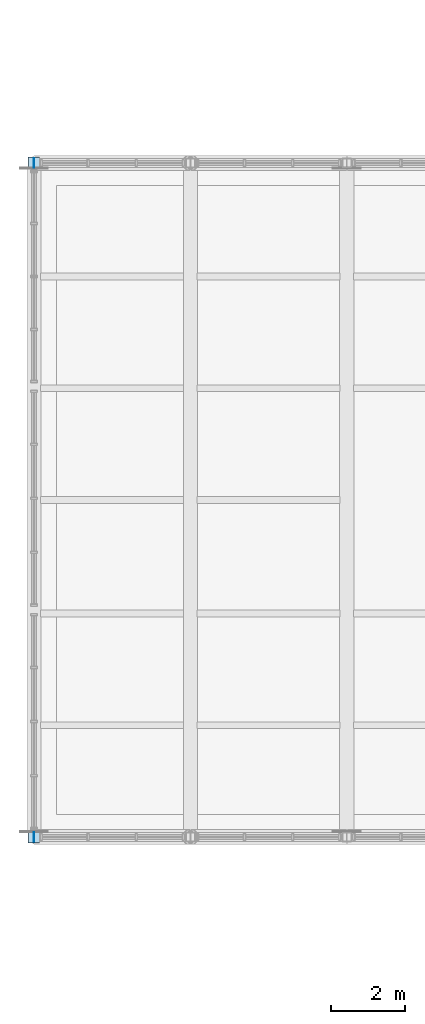
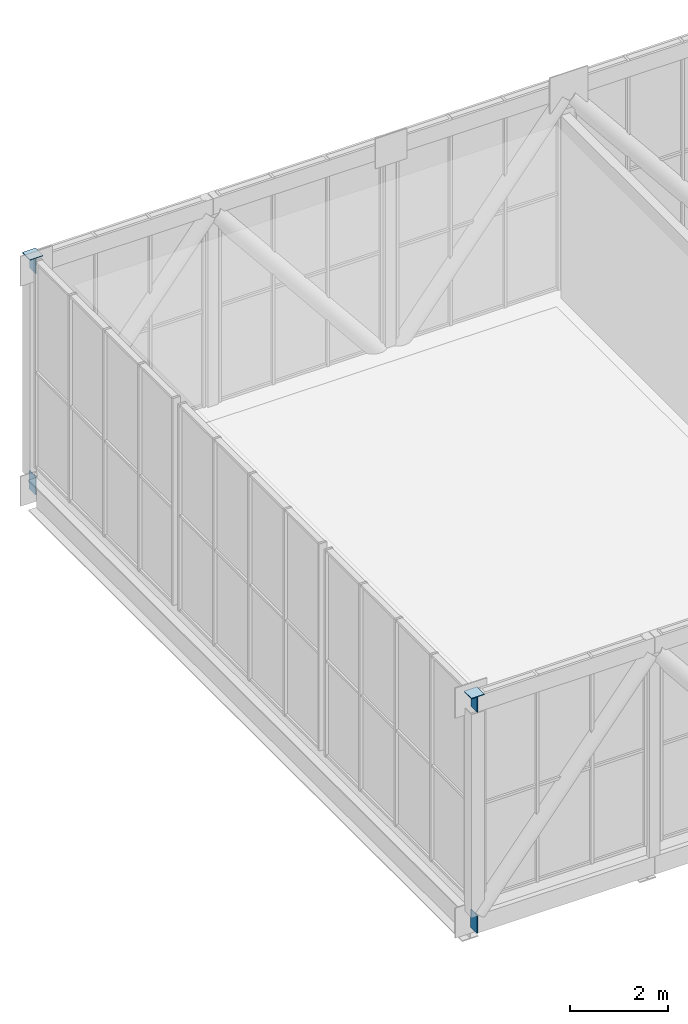
# One storey, part 53 of 58: 6 plates.
"""IFC4 building model written with IfcOpenShell, lengths in metres."""

import ifcopenshell
import ifcopenshell.guid

model = None  # the IFC model being written
_history = None  # IfcOwnerHistory: only IFC2X3 demands one
_inside = {}  # id of a spatial element -> (the spatial element, [elements in it])
_under = {}  # id of a project, library or spatial element -> (it, [spatial elements below it])
_declared = {}  # id of a project -> (the project, [libraries it declares])
_typed = {}  # id of a type object -> (the type object, [elements of that type])
_made_of = {}  # id of a material, layer set ... -> (it, [elements and type objects made of it])


def new_model(schema):
    """Start an empty IFC model of exactly this schema.

    Asked for "IFC4X3", IfcOpenShell would pick the latest addendum, in which some entities
    have other attributes; the version numbers below select the first issue.
    IFC2X3 requires an IfcOwnerHistory on every rooted entity: one is made here for all.
    """
    global model, _history
    if schema == "IFC4X3":
        model = ifcopenshell.file(schema_version=(4, 3, 0, 0))
    else:
        model = ifcopenshell.file(schema=schema)
    _inside.clear()
    _under.clear()
    _declared.clear()
    _typed.clear()
    _made_of.clear()
    _history = None
    if model.schema == "IFC2X3":
        org = make("IfcOrganization", Name="unknown")
        user = make(
            "IfcPersonAndOrganization",
            ThePerson=make("IfcPerson", FamilyName="unknown"),
            TheOrganization=org,
        )
        app = make(
            "IfcApplication",
            ApplicationDeveloper=org,
            Version="unknown",
            ApplicationFullName="unknown",
            ApplicationIdentifier="unknown",
        )
        _history = make(
            "IfcOwnerHistory",
            OwningUser=user,
            OwningApplication=app,
            ChangeAction="ADDED",
            CreationDate=0,
        )
    return model


def make(cls, **values):
    """One entity of the class cls with the attributes given. An attribute that is None is left unset."""
    return model.create_entity(
        cls, **{name: value for name, value in values.items() if value is not None}
    )


def rooted(cls, **values):
    """An entity with a GlobalId (a new one), such as an element, a storey or a relation."""
    return make(cls, GlobalId=ifcopenshell.guid.new(), OwnerHistory=_history, **values)


def si_unit(unit_type, name, prefix=None):
    """IfcSIUnit, for example si_unit("LENGTHUNIT", "METRE", prefix="MILLI")."""
    return make("IfcSIUnit", UnitType=unit_type, Prefix=prefix, Name=name)


def assignment(units):
    """IfcUnitAssignment: the units of a project."""
    return None if units is None else make("IfcUnitAssignment", Units=units)


def point(xyz):
    """IfcCartesianPoint."""
    return None if xyz is None else make("IfcCartesianPoint", Coordinates=xyz)


def direction(xyz):
    """IfcDirection."""
    return None if xyz is None else make("IfcDirection", DirectionRatios=xyz)


def frame(location, z_axis=None, x_axis=None):
    """IfcAxis2Placement3D, a coordinate frame: its origin and axes. An axis left out is left unset."""
    return make(
        "IfcAxis2Placement3D",
        Location=point(location),
        Axis=direction(z_axis),
        RefDirection=direction(x_axis),
    )


def frame_2d(location, x_axis=None):
    """IfcAxis2Placement2D, a coordinate frame in the plane: its origin and x axis."""
    return make(
        "IfcAxis2Placement2D", Location=point(location), RefDirection=direction(x_axis)
    )


def origin():
    """The frame at (0, 0, 0) with its axes left unset."""
    return frame((0.0, 0.0, 0.0))


def origin_2d():
    """The frame at (0, 0) in the plane with its x axis left unset."""
    return frame_2d((0.0, 0.0))


def place(relative_to, where):
    """IfcLocalPlacement: puts the frame where relative to a parent placement (None: the world)."""
    return make(
        "IfcLocalPlacement", PlacementRelTo=relative_to, RelativePlacement=where
    )


def context(
    kind, dimensions, precision=None, world=None, true_north=None, identifier=None
):
    """IfcGeometricRepresentationContext, for example the 3D "Model" context."""
    return make(
        "IfcGeometricRepresentationContext",
        ContextIdentifier=identifier,
        ContextType=kind,
        CoordinateSpaceDimension=dimensions,
        Precision=precision,
        WorldCoordinateSystem=world,
        TrueNorth=true_north,
    )


def subcontext(parent, identifier, kind, view, scale=None):
    """IfcGeometricRepresentationSubContext, for example "Body" below "Model"."""
    return make(
        "IfcGeometricRepresentationSubContext",
        ContextIdentifier=identifier,
        ContextType=kind,
        ParentContext=parent,
        TargetScale=scale,
        TargetView=view,
    )


def project(units=None, contexts=None):
    """IfcProject with its units and contexts."""
    return rooted(
        "IfcProject",
        Name="project",
        RepresentationContexts=contexts,
        UnitsInContext=assignment(units),
    )


def spatial(cls, under=None, at=None, **own):
    """A site, building, storey or space (cls), placed at a placement, below another one or the project."""
    s = rooted(cls, ObjectPlacement=at, **own)
    if under is not None:
        _under.setdefault(under.id(), (under, []))[1].append(s)
    return s


def profile(cls, at=None, kind="AREA", **sizes):
    """A parametric profile (cls). Its sizes go by their IFC names, for example OverallWidth=200.0."""
    return make(cls, ProfileType=kind, Position=at, **sizes)


def rectangle(**sizes):
    """IfcRectangleProfileDef."""
    return profile("IfcRectangleProfileDef", **sizes)


def extrude(swept, where, along, depth):
    """IfcExtrudedAreaSolid: the profile swept, set in the frame where, extruded along a direction by depth."""
    return make(
        "IfcExtrudedAreaSolid",
        SweptArea=swept,
        Position=where,
        ExtrudedDirection=direction(along),
        Depth=depth,
    )


def shape(context_of_items, identifier, shape_type, items):
    """IfcShapeRepresentation: the items that make up one representation, for example the "Body"."""
    return make(
        "IfcShapeRepresentation",
        ContextOfItems=context_of_items,
        RepresentationIdentifier=identifier,
        RepresentationType=shape_type,
        Items=items,
    )


def material(Name=None, Category=None):
    """IfcMaterial."""
    return make("IfcMaterial", Name=Name, Category=Category)


def layer(
    of_material, thickness, ventilated=None, Name=None, Category=None, Priority=None
):
    """IfcMaterialLayer: one layer of a wall or slab, of a material (None: an air gap)."""
    return make(
        "IfcMaterialLayer",
        Material=of_material,
        LayerThickness=thickness,
        IsVentilated=ventilated,
        Name=Name,
        Category=Category,
        Priority=Priority,
    )


def layer_set(layers, Name=None):
    """IfcMaterialLayerSet."""
    return make("IfcMaterialLayerSet", MaterialLayers=layers, LayerSetName=Name)


def made_of(thing, what):
    """Note that an element or type object is made of a material, layer set ...; save() writes the relation."""
    if what is not None:
        _made_of.setdefault(what.id(), (what, []))[1].append(thing)
    return thing


def type_object(cls, material=None, **own):
    """A type object (cls), such as IfcWallType, which elements share."""
    return made_of(rooted(cls, **own), material)


def element(
    cls,
    number,
    at=None,
    inside=None,
    cuts=None,
    type_object=None,
    material=None,
    context=None,
    identifier="Body",
    shape_type=None,
    held_by="IfcProductDefinitionShape",
    body=None,
    shapes=None,
    **own,
):
    """One element of the class cls, such as IfcWall. Its Tag is "e" and its number.

    at: its placement. inside: the storey or other place that contains it. cuts: it is an
    opening in that element (IfcRelVoidsElement). A single representation is given by context,
    identifier, shape_type and body (its items); several are given by shapes. held_by: the class
    of the entity that holds the representations. save() writes the other relations.
    """
    e = rooted(cls, Tag="e%d" % number, ObjectPlacement=at, **own)
    if body is not None:
        shapes = [shape(context, identifier, shape_type, body)]
    if shapes is not None:
        e.Representation = make(held_by, Representations=shapes)
    if inside is not None:
        _inside.setdefault(inside.id(), (inside, []))[1].append(e)
    if cuts is not None:
        rooted(
            "IfcRelVoidsElement", RelatingBuildingElement=cuts, RelatedOpeningElement=e
        )
    if type_object is not None:
        _typed.setdefault(type_object.id(), (type_object, []))[1].append(e)
    return made_of(e, material)


def aggregate(whole, parts):
    """IfcRelAggregates: a whole, such as a stair, and the parts it consists of."""
    return rooted("IfcRelAggregates", RelatingObject=whole, RelatedObjects=parts)


def save(model, path):
    """Write the relations noted so far, then the file.

    IfcRelAggregates (storeys below a building ...), IfcRelContainedInSpatialStructure (elements
    in a storey), IfcRelDefinesByType, IfcRelAssociatesMaterial and IfcRelDeclares: one each for
    every whole, place, type object, material and project.
    """
    for whole, parts in _under.values():
        aggregate(whole, parts)
    for where, things in _inside.values():
        rooted(
            "IfcRelContainedInSpatialStructure",
            RelatedElements=things,
            RelatingStructure=where,
        )
    for kind, things in _typed.values():
        rooted("IfcRelDefinesByType", RelatedObjects=things, RelatingType=kind)
    for what, things in _made_of.values():
        rooted("IfcRelAssociatesMaterial", RelatedObjects=things, RelatingMaterial=what)
    for by, libraries in _declared.values():
        rooted("IfcRelDeclares", RelatingContext=by, RelatedDefinitions=libraries)
    model.write(path)


model = new_model("IFC4")

# Units and contexts
model_context = context("Model", 3, precision=1e-05, world=origin(), true_north=direction((0.0, 1.0)))
body_context = subcontext(model_context, "Body", "Model", "MODEL_VIEW")
ifc_project = project(units=[si_unit("LENGTHUNIT", "METRE"), si_unit("AREAUNIT", "SQUARE_METRE"), si_unit("VOLUMEUNIT", "CUBIC_METRE"), si_unit("PLANEANGLEUNIT", "RADIAN"), si_unit("MASSUNIT", "GRAM", prefix="KILO")], contexts=[model_context])

# Site, building, storey
site_placement = place(None, origin())
site = spatial("IfcSite", under=ifc_project, at=site_placement, CompositionType="ELEMENT")
building_placement = place(site_placement, origin())
building = spatial("IfcBuilding", under=site, at=building_placement, Name="Khurvash Pelagic Aquarium", CompositionType="ELEMENT")
storey_placement = place(building_placement, frame((0.0, 0.0, 24.60009765625)))
storey = spatial("IfcBuildingStorey", under=building, at=storey_placement, Name="L05", CompositionType="ELEMENT", Elevation=24.60009765625)

# Plates
ifc_material = material(Name="Steel S355J2", Category="steel")
ifc_layer_1 = layer(ifc_material, 0.02001953125)
ifc_layer_set_1 = layer_set([ifc_layer_1], Name="Steel S355J2")
plate_type_1 = type_object("IfcPlateType", Name="CP-01", PredefinedType="SHEET", material=ifc_layer_set_1)
for number, where, z_axis, x_axis, name in (
    (1, (12.60009765625, 11.64990234375, -0.755126953125), (0.0, 0.0, 1.0), (0.0, 1.0, 0.0), "L05 South Hollow Chord End-Cap Plate CP-01"),
    (2, (12.60009765625, 29.75, -0.755126953125), (0.0, 0.0, 1.0), (0.0, 1.0, 0.0), "L05 North Hollow Chord End-Cap Plate CP-01"),
):
    element("IfcPlate", number, at=place(storey_placement, frame(where, z_axis=z_axis, x_axis=x_axis)), inside=storey, type_object=plate_type_1, Name=name, PredefinedType="SHEET", context=body_context, shape_type="SweptSolid", body=[
        extrude(rectangle(XDim=0.260009765625, YDim=0.02001953125, at=origin_2d()), origin(), (0.0, 0.0, 1.0), 0.4599609375),
    ])
ifc_layer_2 = layer(ifc_material, 0.01611328125)
ifc_layer_set_2 = layer_set([ifc_layer_2], Name="Steel S355J2")
plate_type_2 = type_object("IfcPlateType", Name="CP-02", PredefinedType="SHEET", material=ifc_layer_set_2)
for number, where, z_axis, x_axis, name in (
    (3, (12.60205078125, 11.64990234375, 4.77490234375), (0.0, 0.0, 1.0), (0.0, 1.0, 0.0), "L05 South Hollow Chord End-Cap Plate CP-02"),
    (4, (12.60205078125, 29.75, 4.77490234375), (0.0, 0.0, 1.0), (0.0, 1.0, 0.0), "L05 North Hollow Chord End-Cap Plate CP-02"),
):
    element("IfcPlate", number, at=place(storey_placement, frame(where, z_axis=z_axis, x_axis=x_axis)), inside=storey, type_object=plate_type_2, Name=name, PredefinedType="SHEET", context=body_context, shape_type="SweptSolid", body=[
        extrude(rectangle(XDim=0.260009765625, YDim=0.01611328125, at=origin_2d()), origin(), (0.0, 0.0, 1.0), 0.409912109375),
    ])
ifc_layer_3 = layer(ifc_material, 0.01611328125)
ifc_layer_set_3 = layer_set([ifc_layer_3], Name="Steel S355J2")
plate_type_3 = type_object("IfcPlateType", Name="CP-03", PredefinedType="SHEET", material=ifc_layer_set_3)
for number, where, z_axis, x_axis, name in (
    (5, (12.60009765625, 11.64990234375, 5.179931640625), (0.0, 0.0, 1.0), (1.0, 0.0, 0.0), "L05 South Hollow Post Top End-Cap Plate CP-03"),
    (6, (12.60009765625, 29.75, 5.179931640625), (0.0, 0.0, 1.0), (1.0, 0.0, 0.0), "L05 North Hollow Post Top End-Cap Plate CP-03"),
):
    element("IfcPlate", number, at=place(storey_placement, frame(where, z_axis=z_axis, x_axis=x_axis)), inside=storey, type_object=plate_type_3, Name=name, PredefinedType="SHEET", context=body_context, shape_type="SweptSolid", body=[
        extrude(rectangle(XDim=0.31005859375, YDim=0.31005859375, at=origin_2d()), origin(), (0.0, 0.0, 1.0), 0.01611328125),
    ])

save(model, "model.ifc")
